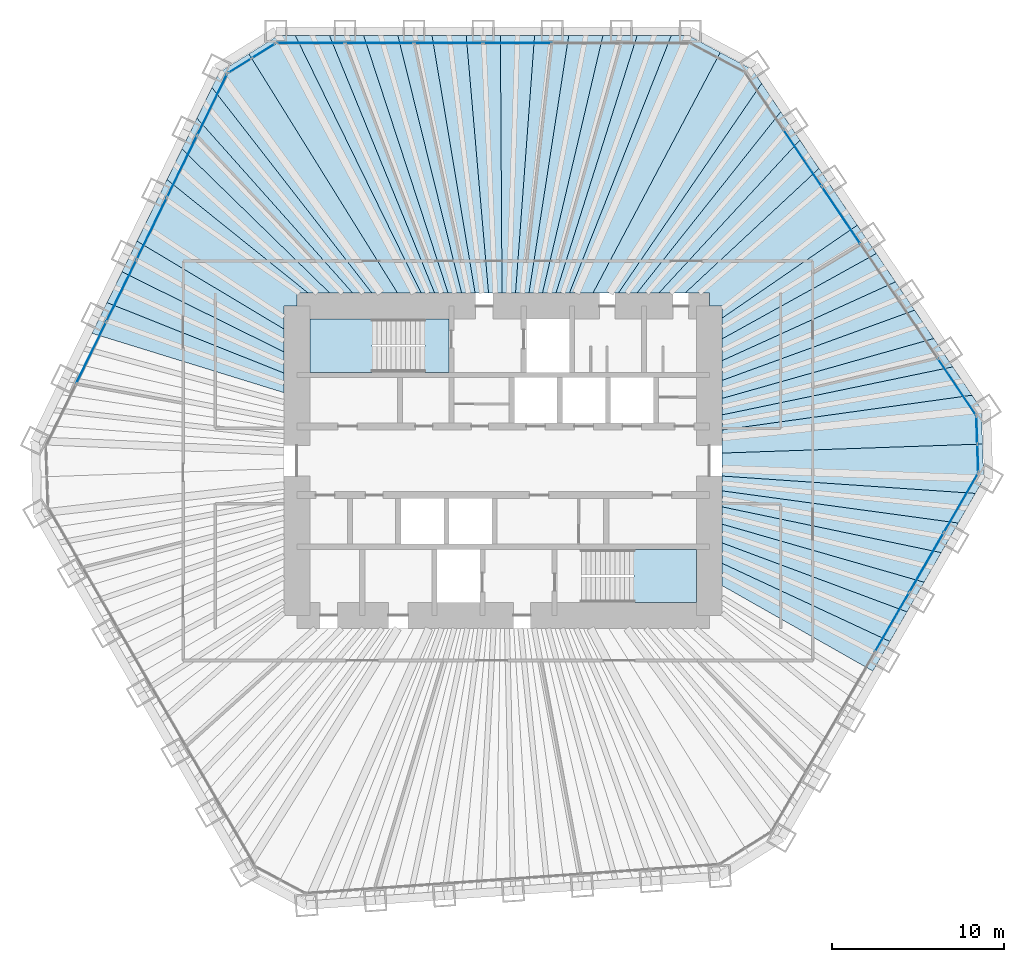
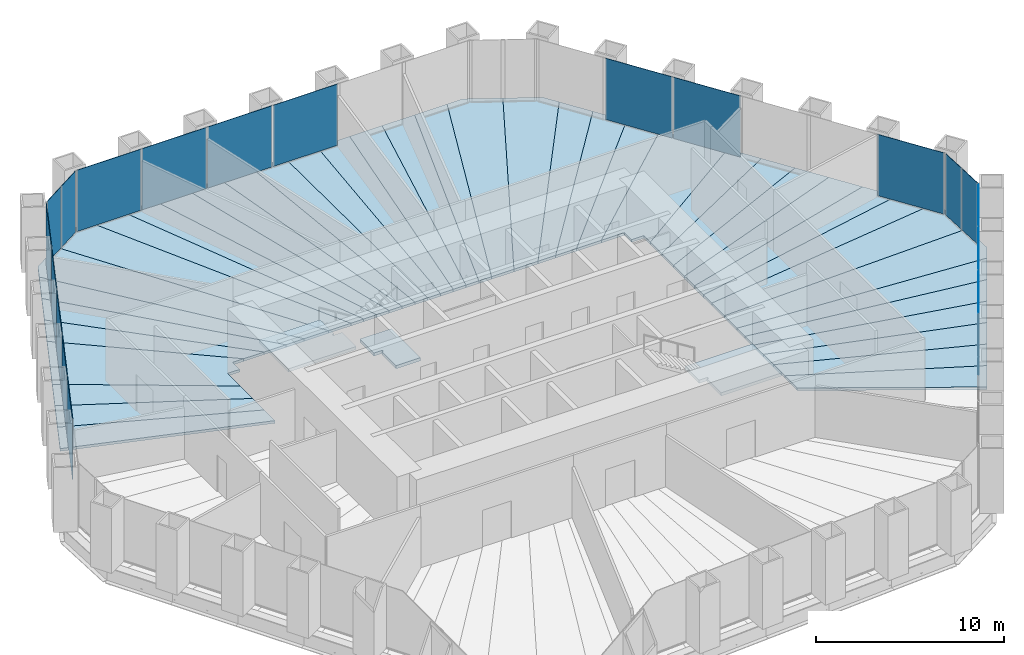
# One storey, part 9 of 13: 43 slabs, 19 plates, 8 elements without a shape of their own.
"""IFC4 building model written with IfcOpenShell, lengths in metres."""

from ifc_helpers import new_model, si_unit, direction, frame, origin, origin_2d, place, context, subcontext, project, spatial, polyline, rectangle, outline, extrude, material, layer, layer_set, type_object, element, aggregate, save


model = new_model("IFC4")

# Units and contexts
model_context = context("Model", 3, precision=1e-05, world=origin(), true_north=direction((0.0, 1.0)))
body_context = subcontext(model_context, "Body", "Model", "MODEL_VIEW")
ifc_project = project(units=[si_unit("LENGTHUNIT", "METRE"), si_unit("AREAUNIT", "SQUARE_METRE"), si_unit("VOLUMEUNIT", "CUBIC_METRE"), si_unit("PLANEANGLEUNIT", "RADIAN"), si_unit("MASSUNIT", "GRAM", prefix="KILO")], contexts=[model_context])

# Site, building, storey
site_placement = place(None, origin())
site = spatial("IfcSite", under=ifc_project, at=site_placement, CompositionType="ELEMENT")
building_placement = place(site_placement, origin())
building = spatial("IfcBuilding", under=site, at=building_placement, Name="Qingtian Harvest Tower", CompositionType="ELEMENT")
storey_placement = place(building_placement, frame((0.0, 0.0, 132.39990234375)))
storey = spatial("IfcBuildingStorey", under=building, at=storey_placement, Name="L27", CompositionType="ELEMENT", Elevation=132.39990234375)

# Slabs
ifc_material_1 = material(Name="Concrete fc' 35 MPa", Category="concrete")
ifc_layer_1 = layer(ifc_material_1, 0.169921875)
ifc_layer_set_1 = layer_set([ifc_layer_1], Name="Composite floor slab FS17 170")
slab_type_1 = type_object("IfcSlabType", Name="Composite floor slab FS17 170", PredefinedType="FLOOR", material=ifc_layer_set_1)
slab_1_placement = place(storey_placement, frame((0.0, 0.0, -0.169921875)))
element("IfcSlab", 1, at=slab_1_placement, inside=storey, type_object=slab_type_1, Name="Floor slab L27 panel D33", PredefinedType="FLOOR", context=body_context, shape_type="SweptSolid", body=[
    extrude(outline(polyline([(12.75, -5.97021484375), (22.51220703125, -10.517578125), (21.517333984375, -12.24072265625), (12.75, -7.268798828125), (12.75, -5.97021484375)])), origin(), (0.0, 0.0, 1.0), 0.169921875),
])
slab_2_placement = place(storey_placement, frame((0.0, 0.0, -0.169921875)))
element("IfcSlab", 2, at=slab_2_placement, inside=storey, type_object=slab_type_1, Name="Floor slab L27 panel D34", PredefinedType="FLOOR", context=body_context, shape_type="SweptSolid", body=[
    extrude(outline(polyline([(12.75, -4.78173828125), (23.50732421875, -8.794189453125), (22.51220703125, -10.517578125), (12.75, -5.97021484375), (12.75, -4.78173828125)])), origin(), (0.0, 0.0, 1.0), 0.169921875),
])
slab_3_placement = place(storey_placement, frame((0.0, 0.0, -0.169921875)))
element("IfcSlab", 3, at=slab_3_placement, inside=storey, type_object=slab_type_1, Name="Floor slab L27 panel D35", PredefinedType="FLOOR", context=body_context, shape_type="SweptSolid", body=[
    extrude(outline(polyline([(12.75, -3.68994140625), (24.502197265625, -7.071044921875), (23.50732421875, -8.794189453125), (12.75, -4.78173828125), (12.75, -3.68994140625)])), origin(), (0.0, 0.0, 1.0), 0.169921875),
])
slab_4_placement = place(storey_placement, frame((0.0, 0.0, -0.169921875)))
element("IfcSlab", 4, at=slab_4_placement, inside=storey, type_object=slab_type_1, Name="Floor slab L27 panel D36", PredefinedType="FLOOR", context=body_context, shape_type="SweptSolid", body=[
    extrude(outline(polyline([(12.75, -2.683349609375), (25.4970703125, -5.34765625), (24.502197265625, -7.071044921875), (12.75, -3.68994140625), (12.75, -2.683349609375)])), origin(), (0.0, 0.0, 1.0), 0.169921875),
])
slab_5_placement = place(storey_placement, frame((0.0, 0.0, -0.169921875)))
element("IfcSlab", 5, at=slab_5_placement, inside=storey, type_object=slab_type_1, Name="Floor slab L27 panel D37", PredefinedType="FLOOR", context=body_context, shape_type="SweptSolid", body=[
    extrude(outline(polyline([(12.75, -1.752685546875), (26.4921875, -3.624267578125), (25.4970703125, -5.34765625), (12.75, -2.683349609375), (12.75, -1.752685546875)])), origin(), (0.0, 0.0, 1.0), 0.169921875),
])
slab_6_placement = place(storey_placement, frame((0.0, 0.0, -0.169921875)))
element("IfcSlab", 6, at=slab_6_placement, inside=storey, type_object=slab_type_1, Name="Floor slab L27 panel D38", PredefinedType="FLOOR", context=body_context, shape_type="SweptSolid", body=[
    extrude(outline(polyline([(12.75, -0.889404296875), (27.487060546875, -1.901123046875), (26.4921875, -3.624267578125), (12.75, -1.752685546875), (12.75, -0.889404296875)])), origin(), (0.0, 0.0, 1.0), 0.169921875),
])
slab_7_placement = place(storey_placement, frame((0.0, 0.0, -0.169921875)))
element("IfcSlab", 7, at=slab_7_placement, inside=storey, type_object=slab_type_1, Name="Floor slab L27 panel D39", PredefinedType="FLOOR", context=body_context, shape_type="SweptSolid", body=[
    extrude(outline(polyline([(12.75, -0.889404296875), (12.75, 0.447509765625), (27.90185546875, 0.974365234375), (27.972900390625, -1.059814453125), (27.487060546875, -1.901123046875), (12.75, -0.889404296875)])), origin(), (0.0, 0.0, 1.0), 0.169921875),
])
slab_8_placement = place(storey_placement, frame((0.0, 0.0, -0.169921875)))
element("IfcSlab", 8, at=slab_8_placement, inside=storey, type_object=slab_type_1, Name="Floor slab L27 panel D40", PredefinedType="FLOOR", context=body_context, shape_type="SweptSolid", body=[
    extrude(outline(polyline([(12.75, 0.447509765625), (12.75, 1.79052734375), (27.287353515625, 3.81396484375), (27.830810546875, 3.008544921875), (27.90185546875, 0.974365234375), (12.75, 0.447509765625)])), origin(), (0.0, 0.0, 1.0), 0.169921875),
])
slab_9_placement = place(storey_placement, frame((0.0, 0.0, -0.169921875)))
element("IfcSlab", 9, at=slab_9_placement, inside=storey, type_object=slab_type_1, Name="Floor slab L27 panel D41", PredefinedType="FLOOR", context=body_context, shape_type="SweptSolid", body=[
    extrude(outline(polyline([(12.75, 2.671142578125), (26.1748046875, 5.463623046875), (27.287353515625, 3.81396484375), (12.75, 1.79052734375), (12.75, 2.671142578125)])), origin(), (0.0, 0.0, 1.0), 0.169921875),
])
slab_10_placement = place(storey_placement, frame((0.0, 0.0, -0.169921875)))
element("IfcSlab", 10, at=slab_10_placement, inside=storey, type_object=slab_type_1, Name="Floor slab L27 panel D42", PredefinedType="FLOOR", context=body_context, shape_type="SweptSolid", body=[
    extrude(outline(polyline([(12.75, 3.6298828125), (25.06201171875, 7.11328125), (26.1748046875, 5.463623046875), (12.75, 2.671142578125), (12.75, 3.6298828125)])), origin(), (0.0, 0.0, 1.0), 0.169921875),
])
slab_11_placement = place(storey_placement, frame((0.0, 0.0, -0.169921875)))
element("IfcSlab", 11, at=slab_11_placement, inside=storey, type_object=slab_type_1, Name="Floor slab L27 panel D43", PredefinedType="FLOOR", context=body_context, shape_type="SweptSolid", body=[
    extrude(outline(polyline([(12.75, 4.677734375), (23.94921875, 8.762939453125), (25.06201171875, 7.11328125), (12.75, 3.6298828125), (12.75, 4.677734375)])), origin(), (0.0, 0.0, 1.0), 0.169921875),
])
slab_12_placement = place(storey_placement, frame((0.0, 0.0, -0.169921875)))
element("IfcSlab", 12, at=slab_12_placement, inside=storey, type_object=slab_type_1, Name="Floor slab L27 panel D44", PredefinedType="FLOOR", context=body_context, shape_type="SweptSolid", body=[
    extrude(outline(polyline([(12.75, 5.828125), (22.83642578125, 10.41259765625), (23.94921875, 8.762939453125), (12.75, 4.677734375), (12.75, 5.828125)])), origin(), (0.0, 0.0, 1.0), 0.169921875),
])
slab_13_placement = place(storey_placement, frame((0.0, 0.0, -0.169921875)))
element("IfcSlab", 13, at=slab_13_placement, inside=storey, type_object=slab_type_1, Name="Floor slab L27 panel D45", PredefinedType="FLOOR", context=body_context, shape_type="SweptSolid", body=[
    extrude(outline(polyline([(12.75, 7.096435546875), (21.723876953125, 12.062255859375), (22.83642578125, 10.41259765625), (12.75, 5.828125), (12.75, 7.096435546875)])), origin(), (0.0, 0.0, 1.0), 0.169921875),
])
slab_14_placement = place(storey_placement, frame((0.0, 0.0, -0.169921875)))
element("IfcSlab", 14, at=slab_14_placement, inside=storey, type_object=slab_type_1, Name="Floor slab L27 panel D46", PredefinedType="FLOOR", context=body_context, shape_type="SweptSolid", body=[
    extrude(outline(polyline([(12.75, 8.30615234375), (20.61328125, 13.708740234375), (21.723876953125, 12.062255859375), (12.75, 7.096435546875), (12.75, 8.30615234375)])), origin(), (0.0, 0.0, 1.0), 0.169921875),
])
slab_15_placement = place(storey_placement, frame((0.0, 0.0, -0.169921875)))
element("IfcSlab", 15, at=slab_15_placement, inside=storey, type_object=slab_type_1, Name="Floor slab L27 panel D48", PredefinedType="FLOOR", context=body_context, shape_type="SweptSolid", body=[
    extrude(outline(polyline([(18.38623046875, 17.010498046875), (20.61328125, 13.708740234375), (12.75, 8.30615234375), (12.75, 9.0), (12.0, 9.0), (12.0, 9.75), (10.578369140625, 9.75), (18.38623046875, 17.010498046875)])), origin(), (0.0, 0.0, 1.0), 0.169921875),
])
slab_16_placement = place(storey_placement, frame((0.0, 0.0, -0.169921875)))
element("IfcSlab", 16, at=slab_16_placement, inside=storey, type_object=slab_type_1, Name="Floor slab L27 panel D49", PredefinedType="FLOOR", context=body_context, shape_type="SweptSolid", body=[
    extrude(outline(polyline([(9.0556640625, 9.75), (17.2734375, 18.66015625), (18.38623046875, 17.010498046875), (10.578369140625, 9.75), (9.0556640625, 9.75)])), origin(), (0.0, 0.0, 1.0), 0.169921875),
])
slab_17_placement = place(storey_placement, frame((0.0, 0.0, -0.169921875)))
element("IfcSlab", 17, at=slab_17_placement, inside=storey, type_object=slab_type_1, Name="Floor slab L27 panel D50", PredefinedType="FLOOR", context=body_context, shape_type="SweptSolid", body=[
    extrude(outline(polyline([(7.781494140625, 9.75), (16.16064453125, 20.31005859375), (17.2734375, 18.66015625), (9.0556640625, 9.75), (7.781494140625, 9.75)])), origin(), (0.0, 0.0, 1.0), 0.169921875),
])
slab_18_placement = place(storey_placement, frame((0.0, 0.0, -0.169921875)))
element("IfcSlab", 18, at=slab_18_placement, inside=storey, type_object=slab_type_1, Name="Floor slab L27 panel D51", PredefinedType="FLOOR", context=body_context, shape_type="SweptSolid", body=[
    extrude(outline(polyline([(6.69970703125, 9.75), (15.0478515625, 21.959716796875), (16.16064453125, 20.31005859375), (7.781494140625, 9.75), (6.69970703125, 9.75)])), origin(), (0.0, 0.0, 1.0), 0.169921875),
])
slab_19_placement = place(storey_placement, frame((0.0, 0.0, -0.169921875)))
element("IfcSlab", 19, at=slab_19_placement, inside=storey, type_object=slab_type_1, Name="Floor slab L27 panel D52", PredefinedType="FLOOR", context=body_context, shape_type="SweptSolid", body=[
    extrude(outline(polyline([(6.69970703125, 9.75), (5.224609375, 9.75), (12.634033203125, 23.759765625), (14.504638671875, 22.765380859375), (15.0478515625, 21.959716796875), (6.69970703125, 9.75)])), origin(), (0.0, 0.0, 1.0), 0.169921875),
])
slab_20_placement = place(storey_placement, frame((0.0, 0.0, -0.169921875)))
element("IfcSlab", 20, at=slab_20_placement, inside=storey, type_object=slab_type_1, Name="Floor slab L27 panel D53", PredefinedType="FLOOR", context=body_context, shape_type="SweptSolid", body=[
    extrude(outline(polyline([(3.856201171875, 9.75), (9.791015625, 24.7548828125), (10.762451171875, 24.7548828125), (12.634033203125, 23.759765625), (5.224609375, 9.75), (3.856201171875, 9.75)])), origin(), (0.0, 0.0, 1.0), 0.169921875),
])
slab_21_placement = place(storey_placement, frame((0.0, 0.0, -0.169921875)))
element("IfcSlab", 21, at=slab_21_placement, inside=storey, type_object=slab_type_1, Name="Floor slab L27 panel D54", PredefinedType="FLOOR", context=body_context, shape_type="SweptSolid", body=[
    extrude(outline(polyline([(3.072509765625, 9.75), (7.80126953125, 24.7548828125), (9.791015625, 24.7548828125), (3.856201171875, 9.75), (3.072509765625, 9.75)])), origin(), (0.0, 0.0, 1.0), 0.169921875),
])
slab_22_placement = place(storey_placement, frame((0.0, 0.0, -0.169921875)))
element("IfcSlab", 22, at=slab_22_placement, inside=storey, type_object=slab_type_1, Name="Floor slab L27 panel D55", PredefinedType="FLOOR", context=body_context, shape_type="SweptSolid", body=[
    extrude(outline(polyline([(2.288818359375, 9.75), (5.811279296875, 24.7548828125), (7.80126953125, 24.7548828125), (3.072509765625, 9.75), (2.288818359375, 9.75)])), origin(), (0.0, 0.0, 1.0), 0.169921875),
])
slab_23_placement = place(storey_placement, frame((0.0, 0.0, -0.169921875)))
element("IfcSlab", 23, at=slab_23_placement, inside=storey, type_object=slab_type_1, Name="Floor slab L27 panel D56", PredefinedType="FLOOR", context=body_context, shape_type="SweptSolid", body=[
    extrude(outline(polyline([(1.505126953125, 9.75), (3.821533203125, 24.7548828125), (5.811279296875, 24.7548828125), (2.288818359375, 9.75), (1.505126953125, 9.75)])), origin(), (0.0, 0.0, 1.0), 0.169921875),
])
slab_24_placement = place(storey_placement, frame((0.0, 0.0, -0.169921875)))
element("IfcSlab", 24, at=slab_24_placement, inside=storey, type_object=slab_type_1, Name="Floor slab L27 panel D57", PredefinedType="FLOOR", context=body_context, shape_type="SweptSolid", body=[
    extrude(outline(polyline([(0.721435546875, 9.75), (1.831787109375, 24.7548828125), (3.821533203125, 24.7548828125), (1.505126953125, 9.75), (0.721435546875, 9.75)])), origin(), (0.0, 0.0, 1.0), 0.169921875),
])
slab_25_placement = place(storey_placement, frame((0.0, 0.0, -0.169921875)))
element("IfcSlab", 25, at=slab_25_placement, inside=storey, type_object=slab_type_1, Name="Floor slab L27 panel D58", PredefinedType="FLOOR", context=body_context, shape_type="SweptSolid", body=[
    extrude(outline(polyline([(-0.062255859375, 9.75), (-0.158203125, 24.7548828125), (1.831787109375, 24.7548828125), (0.721435546875, 9.75), (-0.062255859375, 9.75)])), origin(), (0.0, 0.0, 1.0), 0.169921875),
])
slab_26_placement = place(storey_placement, frame((0.0, 0.0, -0.169921875)))
element("IfcSlab", 26, at=slab_26_placement, inside=storey, type_object=slab_type_1, Name="Floor slab L27 panel D59", PredefinedType="FLOOR", context=body_context, shape_type="SweptSolid", body=[
    extrude(outline(polyline([(-0.845947265625, 9.75), (-2.14794921875, 24.7548828125), (-0.158203125, 24.7548828125), (-0.062255859375, 9.75), (-0.845947265625, 9.75)])), origin(), (0.0, 0.0, 1.0), 0.169921875),
])
slab_27_placement = place(storey_placement, frame((0.0, 0.0, -0.169921875)))
element("IfcSlab", 27, at=slab_27_placement, inside=storey, type_object=slab_type_1, Name="Floor slab L27 panel D60", PredefinedType="FLOOR", context=body_context, shape_type="SweptSolid", body=[
    extrude(outline(polyline([(-1.629638671875, 9.75), (-4.137939453125, 24.7548828125), (-2.14794921875, 24.7548828125), (-0.845947265625, 9.75), (-1.629638671875, 9.75)])), origin(), (0.0, 0.0, 1.0), 0.169921875),
])
slab_28_placement = place(storey_placement, frame((0.0, 0.0, -0.169921875)))
element("IfcSlab", 28, at=slab_28_placement, inside=storey, type_object=slab_type_1, Name="Floor slab L27 panel D61", PredefinedType="FLOOR", context=body_context, shape_type="SweptSolid", body=[
    extrude(outline(polyline([(-2.41357421875, 9.75), (-6.127685546875, 24.7548828125), (-4.137939453125, 24.7548828125), (-1.629638671875, 9.75), (-2.41357421875, 9.75)])), origin(), (0.0, 0.0, 1.0), 0.169921875),
])
slab_29_placement = place(storey_placement, frame((0.0, 0.0, -0.169921875)))
element("IfcSlab", 29, at=slab_29_placement, inside=storey, type_object=slab_type_1, Name="Floor slab L27 panel D62", PredefinedType="FLOOR", context=body_context, shape_type="SweptSolid", body=[
    extrude(outline(polyline([(-3.197265625, 9.75), (-8.117431640625, 24.7548828125), (-6.127685546875, 24.7548828125), (-2.41357421875, 9.75), (-3.197265625, 9.75)])), origin(), (0.0, 0.0, 1.0), 0.169921875),
])
slab_30_placement = place(storey_placement, frame((0.0, 0.0, -0.169921875)))
element("IfcSlab", 30, at=slab_30_placement, inside=storey, type_object=slab_type_1, Name="Floor slab L27 panel D63", PredefinedType="FLOOR", context=body_context, shape_type="SweptSolid", body=[
    extrude(outline(polyline([(-3.98095703125, 9.75), (-10.107421875, 24.7548828125), (-8.117431640625, 24.7548828125), (-3.197265625, 9.75), (-3.98095703125, 9.75)])), origin(), (0.0, 0.0, 1.0), 0.169921875),
])
slab_31_placement = place(storey_placement, frame((0.0, 0.0, -0.169921875)))
element("IfcSlab", 31, at=slab_31_placement, inside=storey, type_object=slab_type_1, Name="Floor slab L27 panel D64", PredefinedType="FLOOR", context=body_context, shape_type="SweptSolid", body=[
    extrude(outline(polyline([(-4.7646484375, 9.75), (-12.09716796875, 24.7548828125), (-10.107421875, 24.7548828125), (-3.98095703125, 9.75), (-4.7646484375, 9.75)])), origin(), (0.0, 0.0, 1.0), 0.169921875),
])
slab_32_placement = place(storey_placement, frame((0.0, 0.0, -0.169921875)))
element("IfcSlab", 32, at=slab_32_placement, inside=storey, type_object=slab_type_1, Name="Floor slab L27 panel D65", PredefinedType="FLOOR", context=body_context, shape_type="SweptSolid", body=[
    extrude(outline(polyline([(-4.7646484375, 9.75), (-6.13671875, 9.75), (-14.795166015625, 23.676025390625), (-13.068603515625, 24.7548828125), (-12.09716796875, 24.7548828125), (-4.7646484375, 9.75)])), origin(), (0.0, 0.0, 1.0), 0.169921875),
])
slab_33_placement = place(storey_placement, frame((0.0, 0.0, -0.169921875)))
element("IfcSlab", 33, at=slab_33_placement, inside=storey, type_object=slab_type_1, Name="Floor slab L27 panel D66", PredefinedType="FLOOR", context=body_context, shape_type="SweptSolid", body=[
    extrude(outline(polyline([(-6.13671875, 9.75), (-7.62646484375, 9.75), (-16.94677734375, 21.724609375), (-16.520751953125, 22.597900390625), (-14.795166015625, 23.676025390625), (-6.13671875, 9.75)])), origin(), (0.0, 0.0, 1.0), 0.169921875),
])
slab_34_placement = place(storey_placement, frame((0.0, 0.0, -0.169921875)))
element("IfcSlab", 34, at=slab_34_placement, inside=storey, type_object=slab_type_1, Name="Floor slab L27 panel D67", PredefinedType="FLOOR", context=body_context, shape_type="SweptSolid", body=[
    extrude(outline(polyline([(-8.74169921875, 9.75), (-17.819091796875, 19.93603515625), (-16.94677734375, 21.724609375), (-7.62646484375, 9.75), (-8.74169921875, 9.75)])), origin(), (0.0, 0.0, 1.0), 0.169921875),
])
slab_35_placement = place(storey_placement, frame((0.0, 0.0, -0.169921875)))
element("IfcSlab", 35, at=slab_35_placement, inside=storey, type_object=slab_type_1, Name="Floor slab L27 panel D68", PredefinedType="FLOOR", context=body_context, shape_type="SweptSolid", body=[
    extrude(outline(polyline([(-10.077880859375, 9.75), (-18.69140625, 18.1474609375), (-17.819091796875, 19.93603515625), (-8.74169921875, 9.75), (-10.077880859375, 9.75)])), origin(), (0.0, 0.0, 1.0), 0.169921875),
])
slab_36_placement = place(storey_placement, frame((0.0, 0.0, -0.169921875)))
element("IfcSlab", 36, at=slab_36_placement, inside=storey, type_object=slab_type_1, Name="Floor slab L27 panel D69", PredefinedType="FLOOR", context=body_context, shape_type="SweptSolid", body=[
    extrude(outline(polyline([(-11.329345703125, 9.75), (-19.561279296875, 16.364013671875), (-18.69140625, 18.1474609375), (-10.077880859375, 9.75), (-11.329345703125, 9.75)])), origin(), (0.0, 0.0, 1.0), 0.169921875),
])
slab_37_placement = place(storey_placement, frame((0.0, 0.0, -0.169921875)))
element("IfcSlab", 37, at=slab_37_placement, inside=storey, type_object=slab_type_1, Name="Floor slab L27 panel D70", PredefinedType="FLOOR", context=body_context, shape_type="SweptSolid", body=[
    extrude(outline(polyline([(-12.0, 9.0), (-12.75, 9.0), (-12.75, 7.662841796875), (-21.307861328125, 12.78271484375), (-19.561279296875, 16.364013671875), (-11.329345703125, 9.75), (-12.0, 9.75), (-12.0, 9.0)])), origin(), (0.0, 0.0, 1.0), 0.169921875),
])
slab_38_placement = place(storey_placement, frame((0.0, 0.0, -0.169921875)))
element("IfcSlab", 38, at=slab_38_placement, inside=storey, type_object=slab_type_1, Name="Floor slab L27 panel D72", PredefinedType="FLOOR", context=body_context, shape_type="SweptSolid", body=[
    extrude(outline(polyline([(-12.75, 6.332275390625), (-22.18017578125, 10.994384765625), (-21.307861328125, 12.78271484375), (-12.75, 7.662841796875), (-12.75, 6.332275390625)])), origin(), (0.0, 0.0, 1.0), 0.169921875),
])
slab_39_placement = place(storey_placement, frame((0.0, 0.0, -0.169921875)))
element("IfcSlab", 39, at=slab_39_placement, inside=storey, type_object=slab_type_1, Name="Floor slab L27 panel D73", PredefinedType="FLOOR", context=body_context, shape_type="SweptSolid", body=[
    extrude(outline(polyline([(-12.75, 5.1025390625), (-23.052490234375, 9.205810546875), (-22.18017578125, 10.994384765625), (-12.75, 6.332275390625), (-12.75, 5.1025390625)])), origin(), (0.0, 0.0, 1.0), 0.169921875),
])
slab_40_placement = place(storey_placement, frame((0.0, 0.0, -0.169921875)))
element("IfcSlab", 40, at=slab_40_placement, inside=storey, type_object=slab_type_1, Name="Floor slab L27 panel D74", PredefinedType="FLOOR", context=body_context, shape_type="SweptSolid", body=[
    extrude(outline(polyline([(-12.75, 3.962646484375), (-23.9248046875, 7.417236328125), (-23.052490234375, 9.205810546875), (-12.75, 5.1025390625), (-12.75, 3.962646484375)])), origin(), (0.0, 0.0, 1.0), 0.169921875),
])

# Curtain wall, plates
ifc_material_2 = material(Name="Bronze-anodised aluminium curtain wall", Category="aluminium")
curtain_wall_type = type_object("IfcCurtainWallType", Name="Curtain wall CW4 office", PredefinedType="USERDEFINED", material=ifc_material_2)
curtain_wall_1_placement = place(storey_placement, origin())
curtain_wall_1 = element("IfcCurtainWall", 41, at=curtain_wall_1_placement, inside=storey, type_object=curtain_wall_type, Name="Curtain wall CW4 L27 N0-5", ObjectType="RECESSED CURTAIN WALL", PredefinedType="USERDEFINED")
ifc_material_3 = material(Name="Bronze-tinted laminated insulating glass", Category="glass")
ifc_layer_2 = layer(ifc_material_3, 0.030029296875)
ifc_layer_set_2 = layer_set([ifc_layer_2], Name="Glazed panel CWP tinted IGU")
plate_type = type_object("IfcPlateType", Name="Glazed panel CWP tinted IGU", PredefinedType="CURTAIN_PANEL", material=ifc_layer_set_2)
plate_1_placement = place(storey_placement, frame((-11.196044921875, 24.300048828125, 0.06494140625), z_axis=(0.0, 0.0, 1.0), x_axis=(1.0, 0.0, 0.0)))
plate_1 = element("IfcPlate", 42, at=plate_1_placement, type_object=plate_type, Name="CW4 panel 1.1", PredefinedType="CURTAIN_PANEL", context=body_context, shape_type="SweptSolid", body=[
    extrude(rectangle(XDim=3.921630859375, YDim=0.030029296875, at=origin_2d()), origin(), (0.0, 0.0, 1.0), 3.965087890625),
])
plate_2_placement = place(storey_placement, frame((-7.193115234375, 24.300048828125, 0.06494140625), z_axis=(0.0, 0.0, 1.0), x_axis=(1.0, 0.0, 0.0)))
plate_2 = element("IfcPlate", 43, at=plate_2_placement, type_object=plate_type, Name="CW4 panel 2.1", PredefinedType="CURTAIN_PANEL", context=body_context, shape_type="SweptSolid", body=[
    extrude(rectangle(XDim=3.9541015625, YDim=0.030029296875, at=origin_2d()), origin(), (0.0, 0.0, 1.0), 3.965087890625),
])
plate_3_placement = place(storey_placement, frame((-3.174072265625, 24.300048828125, 0.06494140625), z_axis=(0.0, 0.0, 1.0), x_axis=(1.0, 0.0, 0.0)))
plate_3 = element("IfcPlate", 44, at=plate_3_placement, type_object=plate_type, Name="CW4 panel 3.1", PredefinedType="CURTAIN_PANEL", context=body_context, shape_type="SweptSolid", body=[
    extrude(rectangle(XDim=3.9541015625, YDim=0.030029296875, at=origin_2d()), origin(), (0.0, 0.0, 1.0), 3.965087890625),
])
plate_4_placement = place(storey_placement, frame((0.844970703125, 24.300048828125, 0.06494140625), z_axis=(0.0, 0.0, 1.0), x_axis=(1.0, 0.0, 0.0)))
plate_4 = element("IfcPlate", 45, at=plate_4_placement, type_object=plate_type, Name="CW4 panel 4.1", PredefinedType="CURTAIN_PANEL", context=body_context, shape_type="SweptSolid", body=[
    extrude(rectangle(XDim=3.9541015625, YDim=0.030029296875, at=origin_2d()), origin(), (0.0, 0.0, 1.0), 3.965087890625),
])
aggregate(curtain_wall_1, [plate_1, plate_2, plate_3, plate_4])

curtain_wall_2_placement = place(storey_placement, origin())
curtain_wall_2 = element("IfcCurtainWall", 46, at=curtain_wall_2_placement, inside=storey, type_object=curtain_wall_type, Name="Curtain wall CW4 L27 NE0-5", ObjectType="RECESSED CURTAIN WALL", PredefinedType="USERDEFINED")
plate_5_placement = place(storey_placement, frame((17.425537109375, 17.620849609375, 0.06494140625), z_axis=(0.0, 0.0, 1.0), x_axis=(0.559192903471, -0.829037572555, 0.0)))
plate_5 = element("IfcPlate", 47, at=plate_5_placement, type_object=plate_type, Name="CW4 panel 2.1", PredefinedType="CURTAIN_PANEL", context=body_context, shape_type="SweptSolid", body=[
    extrude(rectangle(XDim=3.9541015625, YDim=0.030029296875, at=origin_2d()), origin(), (0.0, 0.0, 1.0), 3.965087890625),
])
plate_6_placement = place(storey_placement, frame((19.673095703125, 14.2890625, 0.06494140625), z_axis=(0.0, 0.0, 1.0), x_axis=(0.559192903471, -0.829037572555, 0.0)))
plate_6 = element("IfcPlate", 48, at=plate_6_placement, type_object=plate_type, Name="CW4 panel 3.1", PredefinedType="CURTAIN_PANEL", context=body_context, shape_type="SweptSolid", body=[
    extrude(rectangle(XDim=3.9541015625, YDim=0.030029296875, at=origin_2d()), origin(), (0.0, 0.0, 1.0), 3.965087890625),
])
plate_7_placement = place(storey_placement, frame((26.40625, 4.306640625, 0.06494140625), z_axis=(0.0, 0.0, 1.0), x_axis=(0.559192903471, -0.829037572555, 0.0)))
plate_7 = element("IfcPlate", 49, at=plate_7_placement, type_object=plate_type, Name="CW4 panel 6.1", PredefinedType="CURTAIN_PANEL", context=body_context, shape_type="SweptSolid", body=[
    extrude(rectangle(XDim=3.921630859375, YDim=0.030029296875, at=origin_2d()), origin(), (0.0, 0.0, 1.0), 3.965087890625),
])
aggregate(curtain_wall_2, [plate_5, plate_6, plate_7])

curtain_wall_3_placement = place(storey_placement, origin())
curtain_wall_3 = element("IfcCurtainWall", 50, at=curtain_wall_3_placement, inside=storey, type_object=curtain_wall_type, Name="Curtain wall CW4 L27 NEC", ObjectType="RECESSED CURTAIN WALL", PredefinedType="USERDEFINED")
plate_8_placement = place(storey_placement, frame((27.568603515625, 1.779052734375, 0.06494140625), z_axis=(0.0, 0.0, 1.0), x_axis=(0.034899496703, -0.999390827019, 0.0)))
plate_8 = element("IfcPlate", 51, at=plate_8_placement, type_object=plate_type, Name="CW4 panel 1.1", PredefinedType="CURTAIN_PANEL", context=body_context, shape_type="SweptSolid", body=[
    extrude(rectangle(XDim=1.56689453125, YDim=0.030029296875, at=origin_2d()), origin(), (0.0, 0.0, 1.0), 3.965087890625),
])
plate_9_placement = place(storey_placement, frame((27.625732421875, 0.148193359375, 0.06494140625), z_axis=(0.0, 0.0, 1.0), x_axis=(0.034899496703, -0.999390827019, 0.0)))
plate_9 = element("IfcPlate", 52, at=plate_9_placement, type_object=plate_type, Name="CW4 panel 2.1", PredefinedType="CURTAIN_PANEL", context=body_context, shape_type="SweptSolid", body=[
    extrude(rectangle(XDim=1.56689453125, YDim=0.030029296875, at=origin_2d()), origin(), (0.0, 0.0, 1.0), 3.965087890625),
])
aggregate(curtain_wall_3, [plate_8, plate_9])

curtain_wall_4_placement = place(storey_placement, origin())
curtain_wall_4 = element("IfcCurtainWall", 53, at=curtain_wall_4_placement, inside=storey, type_object=curtain_wall_type, Name="Curtain wall CW4 L27 SE0-5", ObjectType="RECESSED CURTAIN WALL", PredefinedType="USERDEFINED")
plate_10_placement = place(storey_placement, frame((26.642333984375, -2.4541015625, 0.06494140625), z_axis=(0.0, 0.0, 1.0), x_axis=(-0.5, -0.866025403784, 0.0)))
plate_10 = element("IfcPlate", 54, at=plate_10_placement, type_object=plate_type, Name="CW4 panel 1.1", PredefinedType="CURTAIN_PANEL", context=body_context, shape_type="SweptSolid", body=[
    extrude(rectangle(XDim=3.921630859375, YDim=0.030029296875, at=origin_2d()), origin(), (0.0, 0.0, 1.0), 3.965087890625),
])
plate_11_placement = place(storey_placement, frame((24.640869140625, -5.920654296875, 0.06494140625), z_axis=(0.0, 0.0, 1.0), x_axis=(-0.5, -0.866025403784, 0.0)))
plate_11 = element("IfcPlate", 55, at=plate_11_placement, type_object=plate_type, Name="CW4 panel 2.1", PredefinedType="CURTAIN_PANEL", context=body_context, shape_type="SweptSolid", body=[
    extrude(rectangle(XDim=3.9541015625, YDim=0.030029296875, at=origin_2d()), origin(), (0.0, 0.0, 1.0), 3.965087890625),
])
plate_12_placement = place(storey_placement, frame((22.63134765625, -9.401123046875, 0.06494140625), z_axis=(0.0, 0.0, 1.0), x_axis=(-0.5, -0.866025403784, 0.0)))
plate_12 = element("IfcPlate", 56, at=plate_12_placement, type_object=plate_type, Name="CW4 panel 3.1", PredefinedType="CURTAIN_PANEL", context=body_context, shape_type="SweptSolid", body=[
    extrude(rectangle(XDim=3.9541015625, YDim=0.030029296875, at=origin_2d()), origin(), (0.0, 0.0, 1.0), 3.965087890625),
])
aggregate(curtain_wall_4, [plate_10, plate_11, plate_12])

curtain_wall_5_placement = place(storey_placement, origin())
curtain_wall_5 = element("IfcCurtainWall", 57, at=curtain_wall_5_placement, inside=storey, type_object=curtain_wall_type, Name="Curtain wall CW4 L27 NW0-5", ObjectType="RECESSED CURTAIN WALL", PredefinedType="USERDEFINED")
plate_13_placement = place(storey_placement, frame((-23.972900390625, 6.280517578125, 0.06494140625), z_axis=(0.0, 0.0, 1.0), x_axis=(0.438371146789, 0.898794046299, 0.0)))
plate_13 = element("IfcPlate", 58, at=plate_13_placement, type_object=plate_type, Name="CW4 panel 2.1", PredefinedType="CURTAIN_PANEL", context=body_context, shape_type="SweptSolid", body=[
    extrude(rectangle(XDim=3.9541015625, YDim=0.030029296875, at=origin_2d()), origin(), (0.0, 0.0, 1.0), 3.965087890625),
])
plate_14_placement = place(storey_placement, frame((-22.211181640625, 9.892822265625, 0.06494140625), z_axis=(0.0, 0.0, 1.0), x_axis=(0.438371146789, 0.898794046299, 0.0)))
plate_14 = element("IfcPlate", 59, at=plate_14_placement, type_object=plate_type, Name="CW4 panel 3.1", PredefinedType="CURTAIN_PANEL", context=body_context, shape_type="SweptSolid", body=[
    extrude(rectangle(XDim=3.9541015625, YDim=0.030029296875, at=origin_2d()), origin(), (0.0, 0.0, 1.0), 3.965087890625),
])
plate_15_placement = place(storey_placement, frame((-20.44921875, 13.505126953125, 0.06494140625), z_axis=(0.0, 0.0, 1.0), x_axis=(0.438371146789, 0.898794046299, 0.0)))
plate_15 = element("IfcPlate", 60, at=plate_15_placement, type_object=plate_type, Name="CW4 panel 4.1", PredefinedType="CURTAIN_PANEL", context=body_context, shape_type="SweptSolid", body=[
    extrude(rectangle(XDim=3.9541015625, YDim=0.030029296875, at=origin_2d()), origin(), (0.0, 0.0, 1.0), 3.965087890625),
])
plate_16_placement = place(storey_placement, frame((-18.6875, 17.117431640625, 0.06494140625), z_axis=(0.0, 0.0, 1.0), x_axis=(0.438371146789, 0.898794046299, 0.0)))
plate_16 = element("IfcPlate", 61, at=plate_16_placement, type_object=plate_type, Name="CW4 panel 5.1", PredefinedType="CURTAIN_PANEL", context=body_context, shape_type="SweptSolid", body=[
    extrude(rectangle(XDim=3.9541015625, YDim=0.030029296875, at=origin_2d()), origin(), (0.0, 0.0, 1.0), 3.965087890625),
])
plate_17_placement = place(storey_placement, frame((-16.9326171875, 20.71533203125, 0.06494140625), z_axis=(0.0, 0.0, 1.0), x_axis=(0.438371146789, 0.898794046299, 0.0)))
plate_17 = element("IfcPlate", 62, at=plate_17_placement, type_object=plate_type, Name="CW4 panel 6.1", PredefinedType="CURTAIN_PANEL", context=body_context, shape_type="SweptSolid", body=[
    extrude(rectangle(XDim=3.921630859375, YDim=0.030029296875, at=origin_2d()), origin(), (0.0, 0.0, 1.0), 3.965087890625),
])
aggregate(curtain_wall_5, [plate_13, plate_14, plate_15, plate_16, plate_17])

curtain_wall_6_placement = place(storey_placement, origin())
curtain_wall_6 = element("IfcCurtainWall", 63, at=curtain_wall_6_placement, inside=storey, type_object=curtain_wall_type, Name="Curtain wall CW4 L27 NWC", ObjectType="RECESSED CURTAIN WALL", PredefinedType="USERDEFINED")
plate_18_placement = place(storey_placement, frame((-15.3251953125, 22.985595703125, 0.06494140625), z_axis=(0.0, 0.0, 1.0), x_axis=(0.848048096156, 0.529919264233, 0.0)))
plate_18 = element("IfcPlate", 64, at=plate_18_placement, type_object=plate_type, Name="CW4 panel 1.1", PredefinedType="CURTAIN_PANEL", context=body_context, shape_type="SweptSolid", body=[
    extrude(rectangle(XDim=1.56689453125, YDim=0.030029296875, at=origin_2d()), origin(), (0.0, 0.0, 1.0), 3.965087890625),
])
plate_19_placement = place(storey_placement, frame((-13.941162109375, 23.850341796875, 0.06494140625), z_axis=(0.0, 0.0, 1.0), x_axis=(0.848048096156, 0.529919264233, 0.0)))
plate_19 = element("IfcPlate", 65, at=plate_19_placement, type_object=plate_type, Name="CW4 panel 2.1", PredefinedType="CURTAIN_PANEL", context=body_context, shape_type="SweptSolid", body=[
    extrude(rectangle(XDim=1.56689453125, YDim=0.030029296875, at=origin_2d()), origin(), (0.0, 0.0, 1.0), 3.965087890625),
])
aggregate(curtain_wall_6, [plate_18, plate_19])

# Stair, slabs
ifc_material_4 = material(Name="Concrete fc' 35 MPa", Category="concrete")
stair_type = type_object("IfcStairType", Name="Special stair ST3 4200", PredefinedType="HALF_TURN_STAIR", material=ifc_material_4)
stair_1_placement = place(storey_placement, origin())
stair_1 = element("IfcStair", 66, at=stair_1_placement, inside=storey, type_object=stair_type, Name="Special stair S1 L27", PredefinedType="HALF_TURN_STAIR")
ifc_material_5 = material(Name="Concrete fc' 35 MPa", Category="concrete")
ifc_layer_3 = layer(ifc_material_5, 0.199951171875)
ifc_layer_set_3 = layer_set([ifc_layer_3], Name="Stair landing SL2 200")
slab_type_2 = type_object("IfcSlabType", Name="Stair landing SL2 200", PredefinedType="LANDING", material=ifc_layer_set_3)
slab_41_placement = place(storey_placement, frame((0.0, 0.0, -0.199951171875)))
slab_41 = element("IfcSlab", 67, at=slab_41_placement, type_object=slab_type_2, Name="S1 landing 1", PredefinedType="LANDING", context=body_context, shape_type="SweptSolid", body=[
    extrude(outline(polyline([(-4.64990234375, 5.14990234375), (-4.64990234375, 6.64990234375), (-4.550048828125, 6.64990234375), (-4.550048828125, 6.75), (-5.0849609375, 6.75), (-5.0849609375, 8.25), (-3.14990234375, 8.25), (-3.14990234375, 5.14990234375), (-4.64990234375, 5.14990234375)])), origin(), (0.0, 0.0, 1.0), 0.199951171875),
])
slab_42_placement = place(storey_placement, frame((0.0, 0.0, 1.900146484375)))
slab_42 = element("IfcSlab", 68, at=slab_42_placement, type_object=slab_type_2, Name="S1 landing 2", PredefinedType="LANDING", context=body_context, shape_type="SweptSolid", body=[
    extrude(outline(polyline([(-7.094970703125, 5.14990234375), (-11.25, 5.14990234375), (-11.25, 8.25), (-7.530029296875, 8.25), (-7.530029296875, 6.75), (-7.6298828125, 6.75), (-7.6298828125, 6.64990234375), (-7.094970703125, 6.64990234375), (-7.094970703125, 5.14990234375)])), origin(), (0.0, 0.0, 1.0), 0.199951171875),
])
aggregate(stair_1, [slab_41, slab_42])

# Stair, slab
stair_2_placement = place(storey_placement, origin())
stair_2 = element("IfcStair", 69, at=stair_2_placement, inside=storey, type_object=stair_type, Name="Special stair S2 L27", PredefinedType="HALF_TURN_STAIR")
slab_43_placement = place(storey_placement, frame((0.0, 0.0, 1.900146484375)))
slab_43 = element("IfcSlab", 70, at=slab_43_placement, type_object=slab_type_2, Name="S2 landing 2", PredefinedType="LANDING", context=body_context, shape_type="SweptSolid", body=[
    extrude(outline(polyline([(7.530029296875, -8.25), (7.530029296875, -6.75), (7.6298828125, -6.75), (7.6298828125, -6.64990234375), (7.094970703125, -6.64990234375), (7.094970703125, -5.14990234375), (11.25, -5.14990234375), (11.25, -8.25), (7.530029296875, -8.25)])), origin(), (0.0, 0.0, 1.0), 0.199951171875),
])
aggregate(stair_2, [slab_43])

save(model, "model.ifc")
